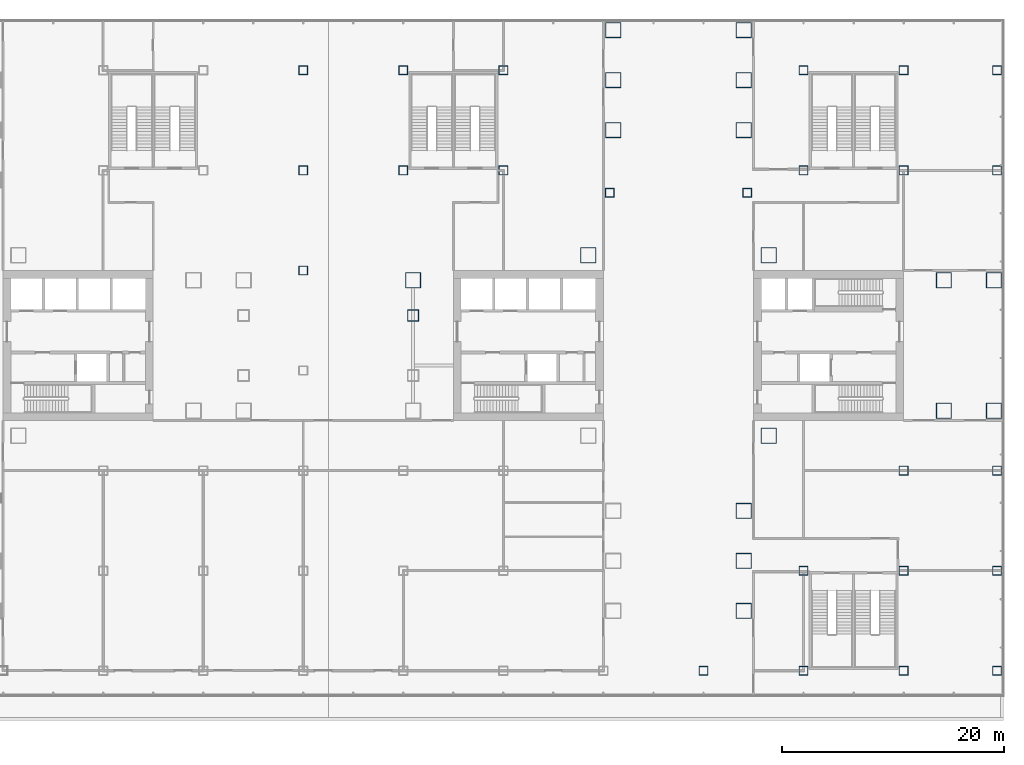
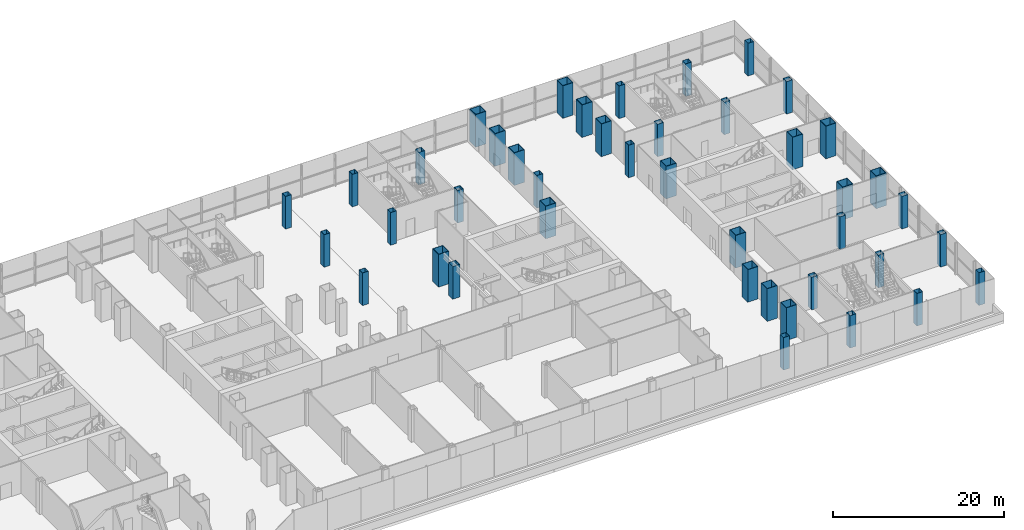
# One storey, part 2 of 30: 42 columns.
"""IFC4 building model written with IfcOpenShell, lengths in metres."""

import ifcopenshell
import ifcopenshell.guid

model = None  # the IFC model being written
_history = None  # IfcOwnerHistory: only IFC2X3 demands one
_inside = {}  # id of a spatial element -> (the spatial element, [elements in it])
_under = {}  # id of a project, library or spatial element -> (it, [spatial elements below it])
_declared = {}  # id of a project -> (the project, [libraries it declares])
_typed = {}  # id of a type object -> (the type object, [elements of that type])
_made_of = {}  # id of a material, layer set ... -> (it, [elements and type objects made of it])


def new_model(schema):
    """Start an empty IFC model of exactly this schema.

    Asked for "IFC4X3", IfcOpenShell would pick the latest addendum, in which some entities
    have other attributes; the version numbers below select the first issue.
    IFC2X3 requires an IfcOwnerHistory on every rooted entity: one is made here for all.
    """
    global model, _history
    if schema == "IFC4X3":
        model = ifcopenshell.file(schema_version=(4, 3, 0, 0))
    else:
        model = ifcopenshell.file(schema=schema)
    _inside.clear()
    _under.clear()
    _declared.clear()
    _typed.clear()
    _made_of.clear()
    _history = None
    if model.schema == "IFC2X3":
        org = make("IfcOrganization", Name="unknown")
        user = make(
            "IfcPersonAndOrganization",
            ThePerson=make("IfcPerson", FamilyName="unknown"),
            TheOrganization=org,
        )
        app = make(
            "IfcApplication",
            ApplicationDeveloper=org,
            Version="unknown",
            ApplicationFullName="unknown",
            ApplicationIdentifier="unknown",
        )
        _history = make(
            "IfcOwnerHistory",
            OwningUser=user,
            OwningApplication=app,
            ChangeAction="ADDED",
            CreationDate=0,
        )
    return model


def make(cls, **values):
    """One entity of the class cls with the attributes given. An attribute that is None is left unset."""
    return model.create_entity(
        cls, **{name: value for name, value in values.items() if value is not None}
    )


def rooted(cls, **values):
    """An entity with a GlobalId (a new one), such as an element, a storey or a relation."""
    return make(cls, GlobalId=ifcopenshell.guid.new(), OwnerHistory=_history, **values)


def si_unit(unit_type, name, prefix=None):
    """IfcSIUnit, for example si_unit("LENGTHUNIT", "METRE", prefix="MILLI")."""
    return make("IfcSIUnit", UnitType=unit_type, Prefix=prefix, Name=name)


def assignment(units):
    """IfcUnitAssignment: the units of a project."""
    return None if units is None else make("IfcUnitAssignment", Units=units)


def point(xyz):
    """IfcCartesianPoint."""
    return None if xyz is None else make("IfcCartesianPoint", Coordinates=xyz)


def direction(xyz):
    """IfcDirection."""
    return None if xyz is None else make("IfcDirection", DirectionRatios=xyz)


def frame(location, z_axis=None, x_axis=None):
    """IfcAxis2Placement3D, a coordinate frame: its origin and axes. An axis left out is left unset."""
    return make(
        "IfcAxis2Placement3D",
        Location=point(location),
        Axis=direction(z_axis),
        RefDirection=direction(x_axis),
    )


def frame_2d(location, x_axis=None):
    """IfcAxis2Placement2D, a coordinate frame in the plane: its origin and x axis."""
    return make(
        "IfcAxis2Placement2D", Location=point(location), RefDirection=direction(x_axis)
    )


def origin():
    """The frame at (0, 0, 0) with its axes left unset."""
    return frame((0.0, 0.0, 0.0))


def origin_2d():
    """The frame at (0, 0) in the plane with its x axis left unset."""
    return frame_2d((0.0, 0.0))


def place(relative_to, where):
    """IfcLocalPlacement: puts the frame where relative to a parent placement (None: the world)."""
    return make(
        "IfcLocalPlacement", PlacementRelTo=relative_to, RelativePlacement=where
    )


def context(
    kind, dimensions, precision=None, world=None, true_north=None, identifier=None
):
    """IfcGeometricRepresentationContext, for example the 3D "Model" context."""
    return make(
        "IfcGeometricRepresentationContext",
        ContextIdentifier=identifier,
        ContextType=kind,
        CoordinateSpaceDimension=dimensions,
        Precision=precision,
        WorldCoordinateSystem=world,
        TrueNorth=true_north,
    )


def subcontext(parent, identifier, kind, view, scale=None):
    """IfcGeometricRepresentationSubContext, for example "Body" below "Model"."""
    return make(
        "IfcGeometricRepresentationSubContext",
        ContextIdentifier=identifier,
        ContextType=kind,
        ParentContext=parent,
        TargetScale=scale,
        TargetView=view,
    )


def project(units=None, contexts=None):
    """IfcProject with its units and contexts."""
    return rooted(
        "IfcProject",
        Name="project",
        RepresentationContexts=contexts,
        UnitsInContext=assignment(units),
    )


def spatial(cls, under=None, at=None, **own):
    """A site, building, storey or space (cls), placed at a placement, below another one or the project."""
    s = rooted(cls, ObjectPlacement=at, **own)
    if under is not None:
        _under.setdefault(under.id(), (under, []))[1].append(s)
    return s


def profile(cls, at=None, kind="AREA", **sizes):
    """A parametric profile (cls). Its sizes go by their IFC names, for example OverallWidth=200.0."""
    return make(cls, ProfileType=kind, Position=at, **sizes)


def hollow_rectangle(**sizes):
    """IfcRectangleHollowProfileDef."""
    return profile("IfcRectangleHollowProfileDef", **sizes)


def extrude(swept, where, along, depth):
    """IfcExtrudedAreaSolid: the profile swept, set in the frame where, extruded along a direction by depth."""
    return make(
        "IfcExtrudedAreaSolid",
        SweptArea=swept,
        Position=where,
        ExtrudedDirection=direction(along),
        Depth=depth,
    )


def shape(context_of_items, identifier, shape_type, items):
    """IfcShapeRepresentation: the items that make up one representation, for example the "Body"."""
    return make(
        "IfcShapeRepresentation",
        ContextOfItems=context_of_items,
        RepresentationIdentifier=identifier,
        RepresentationType=shape_type,
        Items=items,
    )


def material(Name=None, Category=None):
    """IfcMaterial."""
    return make("IfcMaterial", Name=Name, Category=Category)


def material_profile(
    of_material, cross_section, Name=None, Category=None, Priority=None
):
    """IfcMaterialProfile: a cross section and its material."""
    return make(
        "IfcMaterialProfile",
        Name=Name,
        Material=of_material,
        Profile=cross_section,
        Priority=Priority,
        Category=Category,
    )


def profile_set(profiles, Name=None, composite=None):
    """IfcMaterialProfileSet."""
    return make(
        "IfcMaterialProfileSet",
        Name=Name,
        MaterialProfiles=profiles,
        CompositeProfile=composite,
    )


def made_of(thing, what):
    """Note that an element or type object is made of a material, layer set ...; save() writes the relation."""
    if what is not None:
        _made_of.setdefault(what.id(), (what, []))[1].append(thing)
    return thing


def type_object(cls, material=None, **own):
    """A type object (cls), such as IfcWallType, which elements share."""
    return made_of(rooted(cls, **own), material)


def element(
    cls,
    number,
    at=None,
    inside=None,
    cuts=None,
    type_object=None,
    material=None,
    context=None,
    identifier="Body",
    shape_type=None,
    held_by="IfcProductDefinitionShape",
    body=None,
    shapes=None,
    **own,
):
    """One element of the class cls, such as IfcWall. Its Tag is "e" and its number.

    at: its placement. inside: the storey or other place that contains it. cuts: it is an
    opening in that element (IfcRelVoidsElement). A single representation is given by context,
    identifier, shape_type and body (its items); several are given by shapes. held_by: the class
    of the entity that holds the representations. save() writes the other relations.
    """
    e = rooted(cls, Tag="e%d" % number, ObjectPlacement=at, **own)
    if body is not None:
        shapes = [shape(context, identifier, shape_type, body)]
    if shapes is not None:
        e.Representation = make(held_by, Representations=shapes)
    if inside is not None:
        _inside.setdefault(inside.id(), (inside, []))[1].append(e)
    if cuts is not None:
        rooted(
            "IfcRelVoidsElement", RelatingBuildingElement=cuts, RelatedOpeningElement=e
        )
    if type_object is not None:
        _typed.setdefault(type_object.id(), (type_object, []))[1].append(e)
    return made_of(e, material)


def aggregate(whole, parts):
    """IfcRelAggregates: a whole, such as a stair, and the parts it consists of."""
    return rooted("IfcRelAggregates", RelatingObject=whole, RelatedObjects=parts)


def save(model, path):
    """Write the relations noted so far, then the file.

    IfcRelAggregates (storeys below a building ...), IfcRelContainedInSpatialStructure (elements
    in a storey), IfcRelDefinesByType, IfcRelAssociatesMaterial and IfcRelDeclares: one each for
    every whole, place, type object, material and project.
    """
    for whole, parts in _under.values():
        aggregate(whole, parts)
    for where, things in _inside.values():
        rooted(
            "IfcRelContainedInSpatialStructure",
            RelatedElements=things,
            RelatingStructure=where,
        )
    for kind, things in _typed.values():
        rooted("IfcRelDefinesByType", RelatedObjects=things, RelatingType=kind)
    for what, things in _made_of.values():
        rooted("IfcRelAssociatesMaterial", RelatedObjects=things, RelatingMaterial=what)
    for by, libraries in _declared.values():
        rooted("IfcRelDeclares", RelatingContext=by, RelatedDefinitions=libraries)
    model.write(path)


model = new_model("IFC4")

# Units and contexts
model_context = context("Model", 3, precision=1e-05, world=origin(), true_north=direction((0.0, 1.0)))
body_context = subcontext(model_context, "Body", "Model", "MODEL_VIEW")
ifc_project = project(units=[si_unit("LENGTHUNIT", "METRE"), si_unit("AREAUNIT", "SQUARE_METRE"), si_unit("VOLUMEUNIT", "CUBIC_METRE"), si_unit("PLANEANGLEUNIT", "RADIAN"), si_unit("MASSUNIT", "GRAM", prefix="KILO")], contexts=[model_context])

# Site, building, storey
site_placement = place(None, origin())
site = spatial("IfcSite", under=ifc_project, at=site_placement, CompositionType="ELEMENT")
building_placement = place(site_placement, origin())
building = spatial("IfcBuilding", under=site, at=building_placement, Name="Shamsa Quay Exchange Towers", CompositionType="ELEMENT")
storey_placement = place(building_placement, frame((0.0, 0.0, 23.5)))
storey = spatial("IfcBuildingStorey", under=building, at=storey_placement, Name="L04", CompositionType="ELEMENT", Elevation=23.5)

# Columns
ifc_material_1 = material(Name="Concrete-filled steel tube S355 / C80/95", Category="concrete")
ifc_material_profile_1 = material_profile(ifc_material_1, hollow_rectangle(XDim=1.39990234375, YDim=1.39990234375, WallThickness=0.06005859375, at=origin_2d()), Name="CFT 1400x1400x60")
ifc_profile_set_1 = profile_set([ifc_material_profile_1], Name="Concrete-filled steel tube S355 / C80/95")
column_type_1 = type_object("IfcColumnType", Name="Column CFT 1400x1400x60", PredefinedType="COLUMN", material=ifc_profile_set_1)
for number, where, name in (
    (1, (25.625, 8.125, 0.0), "Mega column T2-CM01"),
    (2, (41.875, 8.125, 0.0), "Mega column T2-CM02"),
    (3, (41.875, -8.125, 0.0), "Mega column T2-CM04"),
    (4, (39.625, 19.375, 0.0), "Mega column T2-CM06"),
    (5, (39.625, 23.875, 0.0), "Mega column T2-CM07"),
    (6, (39.625, 28.375, 0.0), "Mega column T2-CM08"),
    (7, (27.875, 19.375, 0.0), "Mega column T2-CM10"),
    (8, (27.875, 23.875, 0.0), "Mega column T2-CM11"),
    (9, (27.875, 28.375, 0.0), "Mega column T2-CM12"),
    (10, (39.625, -14.875, 0.0), "Mega column T2-CM13"),
    (11, (39.625, -19.375, 0.0), "Mega column T2-CM14"),
    (12, (39.625, -23.875, 0.0), "Mega column T2-CM15"),
    (13, (9.875, 5.875, 0.0), "Mega column T2-CM20"),
    (14, (57.625, -5.875, 0.0), "Mega column T2-CM21"),
    (15, (62.125, -5.875, 0.0), "Mega column T2-CM22"),
    (16, (57.625, 5.875, 0.0), "Mega column T2-CM23"),
    (17, (62.125, 5.875, 0.0), "Mega column T2-CM24"),
):
    element("IfcColumn", number, at=place(storey_placement, frame(where)), inside=storey, type_object=column_type_1, Name=name, PredefinedType="COLUMN", context=body_context, shape_type="SweptSolid", body=[
        extrude(hollow_rectangle(XDim=1.39990234375, YDim=1.39990234375, WallThickness=0.06005859375, at=origin_2d()), origin(), (0.0, 0.0, 1.0), 4.64990234375),
    ])
ifc_material_2 = material(Name="Concrete-filled steel tube S355 / C60/75", Category="concrete")
ifc_material_profile_2 = material_profile(ifc_material_2, hollow_rectangle(XDim=0.800048828125, YDim=0.800048828125, WallThickness=0.030029296875, at=origin_2d()), Name="CFT 800x800x30")
ifc_profile_set_2 = profile_set([ifc_material_profile_2], Name="Concrete-filled steel tube S355 / C60/75")
column_type_2 = type_object("IfcColumnType", Name="Column CFT 800x800x30", PredefinedType="COLUMN", material=ifc_profile_set_2)
for number, where, name in (
    (18, (39.9375, 13.75, 0.0), "Perimeter column T2-CP05"),
    (19, (27.5625, 13.75, 0.0), "Perimeter column T2-CP09"),
    (20, (0.0, 6.75, 0.0), "Perimeter column PD-C+0000+0068"),
    (21, (0.0, 15.75, 0.0), "Perimeter column PD-C+0000+0158"),
    (22, (0.0, 24.75, 0.0), "Perimeter column PD-C+0000+0248"),
    (23, (9.0, 15.75, 0.0), "Perimeter column PD-C+0090+0158"),
    (24, (9.0, 24.75, 0.0), "Perimeter column PD-C+0090+0248"),
    (25, (18.0, 15.75, 0.0), "Perimeter column PD-C+0180+0158"),
    (26, (18.0, 24.75, 0.0), "Perimeter column PD-C+0180+0248"),
    (27, (36.0, -29.25, 0.0), "Perimeter column PD-C+0360-0292"),
    (28, (45.0, -29.25, 0.0), "Perimeter column PD-C+0450-0292"),
    (29, (45.0, -20.25, 0.0), "Perimeter column PD-C+0450-0202"),
    (30, (45.0, 15.75, 0.0), "Perimeter column PD-C+0450+0158"),
    (31, (45.0, 24.75, 0.0), "Perimeter column PD-C+0450+0248"),
    (32, (54.0, -29.25, 0.0), "Perimeter column PD-C+0540-0292"),
    (33, (54.0, -20.25, 0.0), "Perimeter column PD-C+0540-0202"),
    (34, (54.0, -11.25, 0.0), "Perimeter column PD-C+0540-0112"),
    (35, (54.0, 15.75, 0.0), "Perimeter column PD-C+0540+0158"),
    (36, (54.0, 24.75, 0.0), "Perimeter column PD-C+0540+0248"),
    (37, (62.39990234375, -29.25, 0.0), "Perimeter column PD-C+0630-0292"),
    (38, (62.39990234375, -20.25, 0.0), "Perimeter column PD-C+0630-0202"),
    (39, (62.39990234375, -11.25, 0.0), "Perimeter column PD-C+0630-0112"),
    (40, (62.39990234375, 15.75, 0.0), "Perimeter column PD-C+0630+0158"),
    (41, (62.39990234375, 24.75, 0.0), "Perimeter column PD-C+0630+0248"),
):
    element("IfcColumn", number, at=place(storey_placement, frame(where)), inside=storey, type_object=column_type_2, Name=name, PredefinedType="COLUMN", context=body_context, shape_type="SweptSolid", body=[
        extrude(hollow_rectangle(XDim=0.800048828125, YDim=0.800048828125, WallThickness=0.030029296875, at=origin_2d()), origin(), (0.0, 0.0, 1.0), 4.64990234375),
    ])
ifc_material_3 = material(Name="Concrete-filled steel tube S355 / C70/85", Category="concrete")
ifc_material_profile_3 = material_profile(ifc_material_3, hollow_rectangle(XDim=1.0, YDim=1.0, WallThickness=0.0400390625, at=origin_2d()), Name="CFT 1000x1000x40")
ifc_profile_set_3 = profile_set([ifc_material_profile_3], Name="Concrete-filled steel tube S355 / C70/85")
column_type_3 = type_object("IfcColumnType", Name="Landing column CFT 1000x1000x40", PredefinedType="COLUMN", material=ifc_profile_set_3)
column_placement = place(storey_placement, frame((9.875, 2.699951171875, 0.0)))
element("IfcColumn", 42, at=column_placement, inside=storey, type_object=column_type_3, Name="Landing column T2 N", PredefinedType="COLUMN", context=body_context, shape_type="SweptSolid", body=[
    extrude(hollow_rectangle(XDim=1.0, YDim=1.0, WallThickness=0.0400390625, at=origin_2d()), origin(), (0.0, 0.0, 1.0), 4.64990234375),
])

save(model, "model.ifc")
